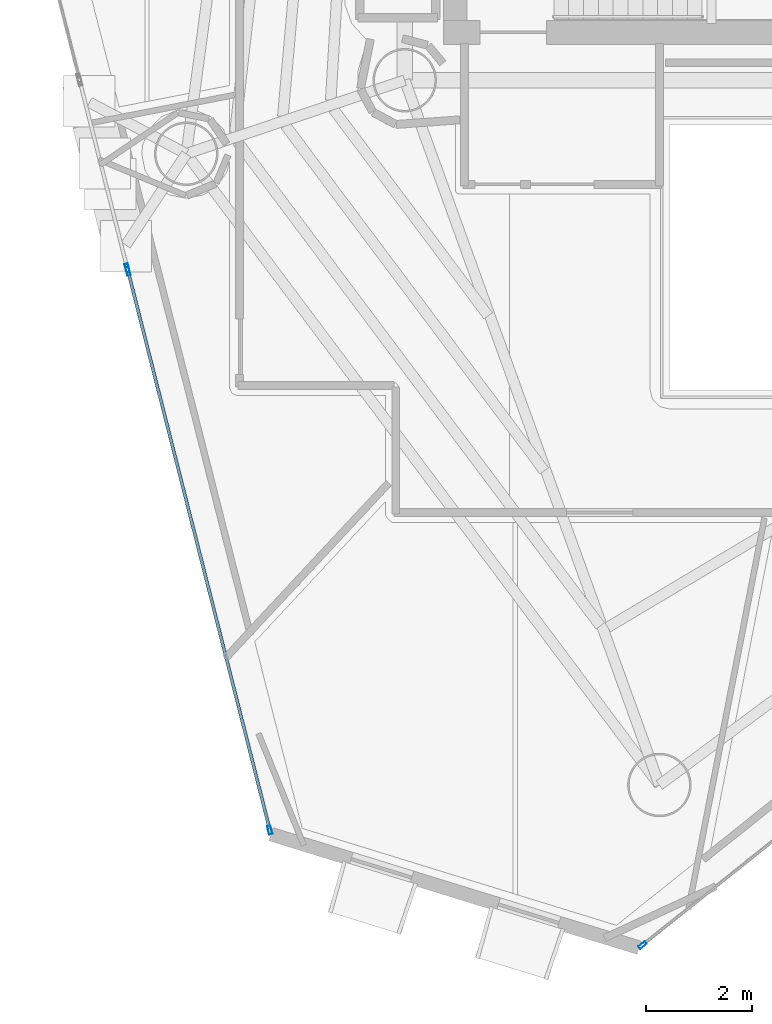
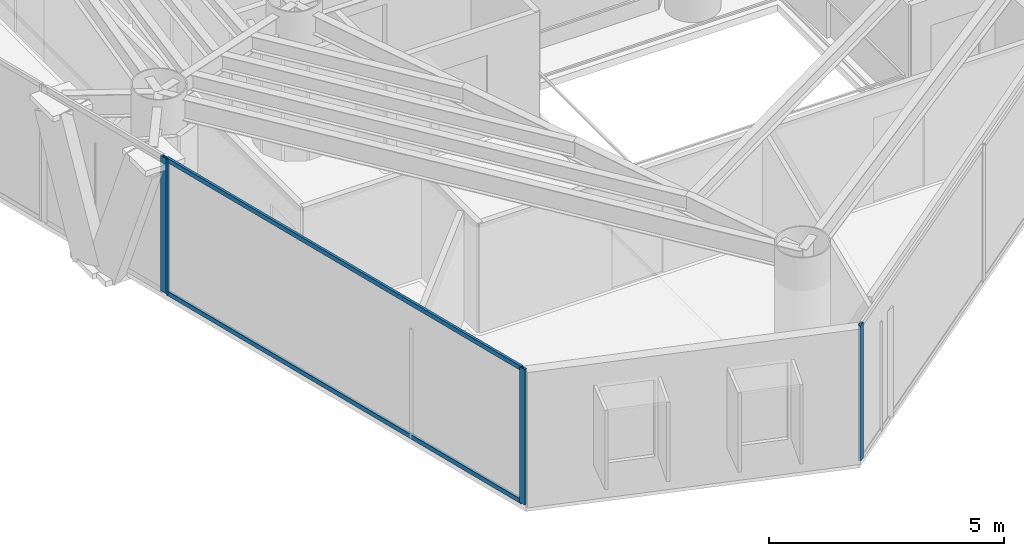
# One storey, part 2 of 22: 6 members, 3 elements without a shape of their own.
"""IFC4 building model written with IfcOpenShell, lengths in metres."""

import ifcopenshell
import ifcopenshell.guid

model = None  # the IFC model being written
_history = None  # IfcOwnerHistory: only IFC2X3 demands one
_inside = {}  # id of a spatial element -> (the spatial element, [elements in it])
_under = {}  # id of a project, library or spatial element -> (it, [spatial elements below it])
_declared = {}  # id of a project -> (the project, [libraries it declares])
_typed = {}  # id of a type object -> (the type object, [elements of that type])
_made_of = {}  # id of a material, layer set ... -> (it, [elements and type objects made of it])


def new_model(schema):
    """Start an empty IFC model of exactly this schema.

    Asked for "IFC4X3", IfcOpenShell would pick the latest addendum, in which some entities
    have other attributes; the version numbers below select the first issue.
    IFC2X3 requires an IfcOwnerHistory on every rooted entity: one is made here for all.
    """
    global model, _history
    if schema == "IFC4X3":
        model = ifcopenshell.file(schema_version=(4, 3, 0, 0))
    else:
        model = ifcopenshell.file(schema=schema)
    _inside.clear()
    _under.clear()
    _declared.clear()
    _typed.clear()
    _made_of.clear()
    _history = None
    if model.schema == "IFC2X3":
        org = make("IfcOrganization", Name="unknown")
        user = make(
            "IfcPersonAndOrganization",
            ThePerson=make("IfcPerson", FamilyName="unknown"),
            TheOrganization=org,
        )
        app = make(
            "IfcApplication",
            ApplicationDeveloper=org,
            Version="unknown",
            ApplicationFullName="unknown",
            ApplicationIdentifier="unknown",
        )
        _history = make(
            "IfcOwnerHistory",
            OwningUser=user,
            OwningApplication=app,
            ChangeAction="ADDED",
            CreationDate=0,
        )
    return model


def make(cls, **values):
    """One entity of the class cls with the attributes given. An attribute that is None is left unset."""
    return model.create_entity(
        cls, **{name: value for name, value in values.items() if value is not None}
    )


def rooted(cls, **values):
    """An entity with a GlobalId (a new one), such as an element, a storey or a relation."""
    return make(cls, GlobalId=ifcopenshell.guid.new(), OwnerHistory=_history, **values)


def si_unit(unit_type, name, prefix=None):
    """IfcSIUnit, for example si_unit("LENGTHUNIT", "METRE", prefix="MILLI")."""
    return make("IfcSIUnit", UnitType=unit_type, Prefix=prefix, Name=name)


def assignment(units):
    """IfcUnitAssignment: the units of a project."""
    return None if units is None else make("IfcUnitAssignment", Units=units)


def point(xyz):
    """IfcCartesianPoint."""
    return None if xyz is None else make("IfcCartesianPoint", Coordinates=xyz)


def direction(xyz):
    """IfcDirection."""
    return None if xyz is None else make("IfcDirection", DirectionRatios=xyz)


def frame(location, z_axis=None, x_axis=None):
    """IfcAxis2Placement3D, a coordinate frame: its origin and axes. An axis left out is left unset."""
    return make(
        "IfcAxis2Placement3D",
        Location=point(location),
        Axis=direction(z_axis),
        RefDirection=direction(x_axis),
    )


def frame_2d(location, x_axis=None):
    """IfcAxis2Placement2D, a coordinate frame in the plane: its origin and x axis."""
    return make(
        "IfcAxis2Placement2D", Location=point(location), RefDirection=direction(x_axis)
    )


def origin():
    """The frame at (0, 0, 0) with its axes left unset."""
    return frame((0.0, 0.0, 0.0))


def origin_2d():
    """The frame at (0, 0) in the plane with its x axis left unset."""
    return frame_2d((0.0, 0.0))


def place(relative_to, where):
    """IfcLocalPlacement: puts the frame where relative to a parent placement (None: the world)."""
    return make(
        "IfcLocalPlacement", PlacementRelTo=relative_to, RelativePlacement=where
    )


def context(
    kind, dimensions, precision=None, world=None, true_north=None, identifier=None
):
    """IfcGeometricRepresentationContext, for example the 3D "Model" context."""
    return make(
        "IfcGeometricRepresentationContext",
        ContextIdentifier=identifier,
        ContextType=kind,
        CoordinateSpaceDimension=dimensions,
        Precision=precision,
        WorldCoordinateSystem=world,
        TrueNorth=true_north,
    )


def subcontext(parent, identifier, kind, view, scale=None):
    """IfcGeometricRepresentationSubContext, for example "Body" below "Model"."""
    return make(
        "IfcGeometricRepresentationSubContext",
        ContextIdentifier=identifier,
        ContextType=kind,
        ParentContext=parent,
        TargetScale=scale,
        TargetView=view,
    )


def project(units=None, contexts=None):
    """IfcProject with its units and contexts."""
    return rooted(
        "IfcProject",
        Name="project",
        RepresentationContexts=contexts,
        UnitsInContext=assignment(units),
    )


def spatial(cls, under=None, at=None, **own):
    """A site, building, storey or space (cls), placed at a placement, below another one or the project."""
    s = rooted(cls, ObjectPlacement=at, **own)
    if under is not None:
        _under.setdefault(under.id(), (under, []))[1].append(s)
    return s


def profile(cls, at=None, kind="AREA", **sizes):
    """A parametric profile (cls). Its sizes go by their IFC names, for example OverallWidth=200.0."""
    return make(cls, ProfileType=kind, Position=at, **sizes)


def hollow_rectangle(**sizes):
    """IfcRectangleHollowProfileDef."""
    return profile("IfcRectangleHollowProfileDef", **sizes)


def extrude(swept, where, along, depth):
    """IfcExtrudedAreaSolid: the profile swept, set in the frame where, extruded along a direction by depth."""
    return make(
        "IfcExtrudedAreaSolid",
        SweptArea=swept,
        Position=where,
        ExtrudedDirection=direction(along),
        Depth=depth,
    )


def shape(context_of_items, identifier, shape_type, items):
    """IfcShapeRepresentation: the items that make up one representation, for example the "Body"."""
    return make(
        "IfcShapeRepresentation",
        ContextOfItems=context_of_items,
        RepresentationIdentifier=identifier,
        RepresentationType=shape_type,
        Items=items,
    )


def material(Name=None, Category=None):
    """IfcMaterial."""
    return make("IfcMaterial", Name=Name, Category=Category)


def layer(
    of_material, thickness, ventilated=None, Name=None, Category=None, Priority=None
):
    """IfcMaterialLayer: one layer of a wall or slab, of a material (None: an air gap)."""
    return make(
        "IfcMaterialLayer",
        Material=of_material,
        LayerThickness=thickness,
        IsVentilated=ventilated,
        Name=Name,
        Category=Category,
        Priority=Priority,
    )


def layer_set(layers, Name=None):
    """IfcMaterialLayerSet."""
    return make("IfcMaterialLayerSet", MaterialLayers=layers, LayerSetName=Name)


def material_profile(
    of_material, cross_section, Name=None, Category=None, Priority=None
):
    """IfcMaterialProfile: a cross section and its material."""
    return make(
        "IfcMaterialProfile",
        Name=Name,
        Material=of_material,
        Profile=cross_section,
        Priority=Priority,
        Category=Category,
    )


def profile_set(profiles, Name=None, composite=None):
    """IfcMaterialProfileSet."""
    return make(
        "IfcMaterialProfileSet",
        Name=Name,
        MaterialProfiles=profiles,
        CompositeProfile=composite,
    )


def made_of(thing, what):
    """Note that an element or type object is made of a material, layer set ...; save() writes the relation."""
    if what is not None:
        _made_of.setdefault(what.id(), (what, []))[1].append(thing)
    return thing


def type_object(cls, material=None, **own):
    """A type object (cls), such as IfcWallType, which elements share."""
    return made_of(rooted(cls, **own), material)


def element(
    cls,
    number,
    at=None,
    inside=None,
    cuts=None,
    type_object=None,
    material=None,
    context=None,
    identifier="Body",
    shape_type=None,
    held_by="IfcProductDefinitionShape",
    body=None,
    shapes=None,
    **own,
):
    """One element of the class cls, such as IfcWall. Its Tag is "e" and its number.

    at: its placement. inside: the storey or other place that contains it. cuts: it is an
    opening in that element (IfcRelVoidsElement). A single representation is given by context,
    identifier, shape_type and body (its items); several are given by shapes. held_by: the class
    of the entity that holds the representations. save() writes the other relations.
    """
    e = rooted(cls, Tag="e%d" % number, ObjectPlacement=at, **own)
    if body is not None:
        shapes = [shape(context, identifier, shape_type, body)]
    if shapes is not None:
        e.Representation = make(held_by, Representations=shapes)
    if inside is not None:
        _inside.setdefault(inside.id(), (inside, []))[1].append(e)
    if cuts is not None:
        rooted(
            "IfcRelVoidsElement", RelatingBuildingElement=cuts, RelatedOpeningElement=e
        )
    if type_object is not None:
        _typed.setdefault(type_object.id(), (type_object, []))[1].append(e)
    return made_of(e, material)


def aggregate(whole, parts):
    """IfcRelAggregates: a whole, such as a stair, and the parts it consists of."""
    return rooted("IfcRelAggregates", RelatingObject=whole, RelatedObjects=parts)


def save(model, path):
    """Write the relations noted so far, then the file.

    IfcRelAggregates (storeys below a building ...), IfcRelContainedInSpatialStructure (elements
    in a storey), IfcRelDefinesByType, IfcRelAssociatesMaterial and IfcRelDeclares: one each for
    every whole, place, type object, material and project.
    """
    for whole, parts in _under.values():
        aggregate(whole, parts)
    for where, things in _inside.values():
        rooted(
            "IfcRelContainedInSpatialStructure",
            RelatedElements=things,
            RelatingStructure=where,
        )
    for kind, things in _typed.values():
        rooted("IfcRelDefinesByType", RelatedObjects=things, RelatingType=kind)
    for what, things in _made_of.values():
        rooted("IfcRelAssociatesMaterial", RelatedObjects=things, RelatingMaterial=what)
    for by, libraries in _declared.values():
        rooted("IfcRelDeclares", RelatingContext=by, RelatedDefinitions=libraries)
    model.write(path)


model = new_model("IFC4")

# Units and contexts
model_context = context("Model", 3, precision=1e-05, world=origin(), true_north=direction((0.0, 1.0)))
body_context = subcontext(model_context, "Body", "Model", "MODEL_VIEW")
ifc_project = project(units=[si_unit("LENGTHUNIT", "METRE"), si_unit("AREAUNIT", "SQUARE_METRE"), si_unit("VOLUMEUNIT", "CUBIC_METRE"), si_unit("PLANEANGLEUNIT", "RADIAN"), si_unit("MASSUNIT", "GRAM", prefix="KILO")], contexts=[model_context])

# Site, building, storey
site_placement = place(None, origin())
site = spatial("IfcSite", under=ifc_project, at=site_placement, CompositionType="ELEMENT")
building_placement = place(site_placement, origin())
building = spatial("IfcBuilding", under=site, at=building_placement, Name="Qianvela Tower", CompositionType="ELEMENT")
storey_placement = place(building_placement, frame((0.0, 0.0, 207.699951171875)))
storey = spatial("IfcBuildingStorey", under=building, at=storey_placement, Name="L53", CompositionType="ELEMENT", Elevation=207.699951171875)

# Curtain wall, member
ifc_material_1 = material(Name="Anodised Architectural Aluminium and Insulated Spandrel Panel", Category="aluminium")
ifc_layer_1 = layer(ifc_material_1, 0.179931640625)
ifc_layer_set_1 = layer_set([ifc_layer_1], Name="Anodised Architectural Aluminium and Insulated Spandrel Panel")
curtain_wall_type_1 = type_object("IfcCurtainWallType", Name="CW-BRACEBAY", PredefinedType="USERDEFINED", material=ifc_layer_set_1)
curtain_wall_1_placement = place(storey_placement, origin())
curtain_wall_1 = element("IfcCurtainWall", 1, at=curtain_wall_1_placement, inside=storey, type_object=curtain_wall_type_1, Name="L53 CW-BRACEBAY Curtain Wall 04B", ObjectType="CURTAIN_WALL_SYSTEM", PredefinedType="USERDEFINED")
ifc_material_2 = material(Name="Anodised Architectural Aluminium 6063-T6", Category="aluminium")
ifc_material_profile_1 = material_profile(ifc_material_2, hollow_rectangle(XDim=0.06494140625, YDim=0.159912109375, WallThickness=0.0048828125, at=origin_2d()), Name="ALU-MULL-65x160")
ifc_profile_set_1 = profile_set([ifc_material_profile_1], Name="Anodised Architectural Aluminium 6063-T6")
member_type_1 = type_object("IfcMemberType", Name="CW-BRACEBAY-MULL", PredefinedType="MULLION", material=ifc_profile_set_1)
member_1_placement = place(storey_placement, frame((23.355224609375, 20.302978515625, 0.0), z_axis=(0.0, 0.0, 1.0), x_axis=(0.969276299059, 0.24597450291, 0.0)))
member_1 = element("IfcMember", 2, at=member_1_placement, type_object=member_type_1, Name="CW-9 mullion 2", PredefinedType="MULLION", context=body_context, shape_type="SweptSolid", body=[
    extrude(hollow_rectangle(XDim=0.06494140625, YDim=0.159912109375, WallThickness=0.0048828125, at=origin_2d()), origin(), (0.0, 0.0, 1.0), 3.52001953125),
])
aggregate(curtain_wall_1, [member_1])

# Curtain wall, members
ifc_material_3 = material(Name="Anodised Architectural Aluminium and Low-E Glass", Category="aluminium")
ifc_layer_2 = layer(ifc_material_3, 0.159912109375)
ifc_layer_set_2 = layer_set([ifc_layer_2], Name="Anodised Architectural Aluminium and Low-E Glass")
curtain_wall_type_2 = type_object("IfcCurtainWallType", Name="CW-COLIV-Z56", PredefinedType="USERDEFINED", material=ifc_layer_set_2)
curtain_wall_2_placement = place(storey_placement, origin())
curtain_wall_2 = element("IfcCurtainWall", 3, at=curtain_wall_2_placement, inside=storey, type_object=curtain_wall_type_2, Name="L53 CW-COLIV-Z56 Curtain Wall 04C", ObjectType="CURTAIN_WALL_SYSTEM", PredefinedType="USERDEFINED")
ifc_material_4 = material(Name="Anodised Architectural Aluminium 6063-T6", Category="aluminium")
ifc_material_profile_2 = material_profile(ifc_material_4, hollow_rectangle(XDim=0.06494140625, YDim=0.159912109375, WallThickness=0.0048828125, at=origin_2d()), Name="ALU-MULL-65x160")
ifc_profile_set_2 = profile_set([ifc_material_profile_2], Name="Anodised Architectural Aluminium 6063-T6")
member_type_2 = type_object("IfcMemberType", Name="CW-COLIV-Z56-MULL", PredefinedType="MULLION", material=ifc_profile_set_2)
member_2_placement = place(storey_placement, frame((23.371337890625, 20.239990234375, 0.0), z_axis=(0.0, 0.0, 1.0), x_axis=(0.969273843056, 0.245984180726, 0.0)))
member_2 = element("IfcMember", 4, at=member_2_placement, type_object=member_type_2, Name="CW-5 mullion 1", PredefinedType="MULLION", context=body_context, shape_type="SweptSolid", body=[
    extrude(hollow_rectangle(XDim=0.06494140625, YDim=0.159912109375, WallThickness=0.0048828125, at=origin_2d()), origin(), (0.0, 0.0, 1.0), 3.52001953125),
])
member_3_placement = place(storey_placement, frame((26.05126953125, 9.679931640625, 0.0), z_axis=(0.0, 0.0, 1.0), x_axis=(0.969273843056, 0.245984180726, 0.0)))
member_3 = element("IfcMember", 5, at=member_3_placement, type_object=member_type_2, Name="CW-5 mullion 2", PredefinedType="MULLION", context=body_context, shape_type="SweptSolid", body=[
    extrude(hollow_rectangle(XDim=0.06494140625, YDim=0.159912109375, WallThickness=0.0048828125, at=origin_2d()), origin(), (0.0, 0.0, 1.0), 3.52001953125),
])

# Curtain wall, member
curtain_wall_3_placement = place(storey_placement, origin())
curtain_wall_3 = element("IfcCurtainWall", 6, at=curtain_wall_3_placement, inside=storey, type_object=curtain_wall_type_2, Name="L53 CW-COLIV-Z56 Curtain Wall 06A", ObjectType="CURTAIN_WALL_SYSTEM", PredefinedType="USERDEFINED")
member_4_placement = place(storey_placement, frame((33.093994140625, 7.5048828125, 0.0), z_axis=(0.0, 0.0, 1.0), x_axis=(-0.62378339675, 0.781597258145, 0.0)))
member_4 = element("IfcMember", 7, at=member_4_placement, type_object=member_type_2, Name="CW-5 mullion 1", PredefinedType="MULLION", context=body_context, shape_type="SweptSolid", body=[
    extrude(hollow_rectangle(XDim=0.06494140625, YDim=0.159912109375, WallThickness=0.0048828125, at=origin_2d()), origin(), (0.0, 0.0, 1.0), 3.52001953125),
])
aggregate(curtain_wall_3, [member_4])

# Member
ifc_material_5 = material(Name="Anodised Architectural Aluminium 6063-T6", Category="aluminium")
ifc_material_profile_3 = material_profile(ifc_material_5, hollow_rectangle(XDim=0.06005859375, YDim=0.114990234375, WallThickness=0.00390625, at=origin_2d()), Name="ALU-TRAN-60x115")
ifc_profile_set_3 = profile_set([ifc_material_profile_3], Name="Anodised Architectural Aluminium 6063-T6")
member_type_3 = type_object("IfcMemberType", Name="CW-COLIV-Z56-TRAN", PredefinedType="USERDEFINED", material=ifc_profile_set_3)
member_5_placement = place(storey_placement, frame((23.37939453125, 20.20849609375, 0.030029296875), z_axis=(0.245971312077, -0.969277108796, 0.0), x_axis=(0.969277108796, 0.245971312077, 0.0)))
member_5 = element("IfcMember", 8, at=member_5_placement, type_object=member_type_3, Name="CW-5 transom 1.1", ObjectType="TRANSOM", PredefinedType="USERDEFINED", context=body_context, shape_type="SweptSolid", body=[
    extrude(hollow_rectangle(XDim=0.06005859375, YDim=0.114990234375, WallThickness=0.00390625, at=origin_2d()), origin(), (0.0, 0.0, 1.0), 10.829833984375),
])

member_6_placement = place(storey_placement, frame((23.37939453125, 20.20849609375, 3.489990234375), z_axis=(0.245971312077, -0.969277108796, 0.0), x_axis=(0.969277108796, 0.245971312077, 0.0)))
member_6 = element("IfcMember", 9, at=member_6_placement, type_object=member_type_3, Name="CW-5 transom 1.2", ObjectType="TRANSOM", PredefinedType="USERDEFINED", context=body_context, shape_type="SweptSolid", body=[
    extrude(hollow_rectangle(XDim=0.06005859375, YDim=0.114990234375, WallThickness=0.00390625, at=origin_2d()), origin(), (0.0, 0.0, 1.0), 10.829833984375),
])

aggregate(curtain_wall_2, [member_2, member_3, member_5, member_6])

save(model, "model.ifc")
